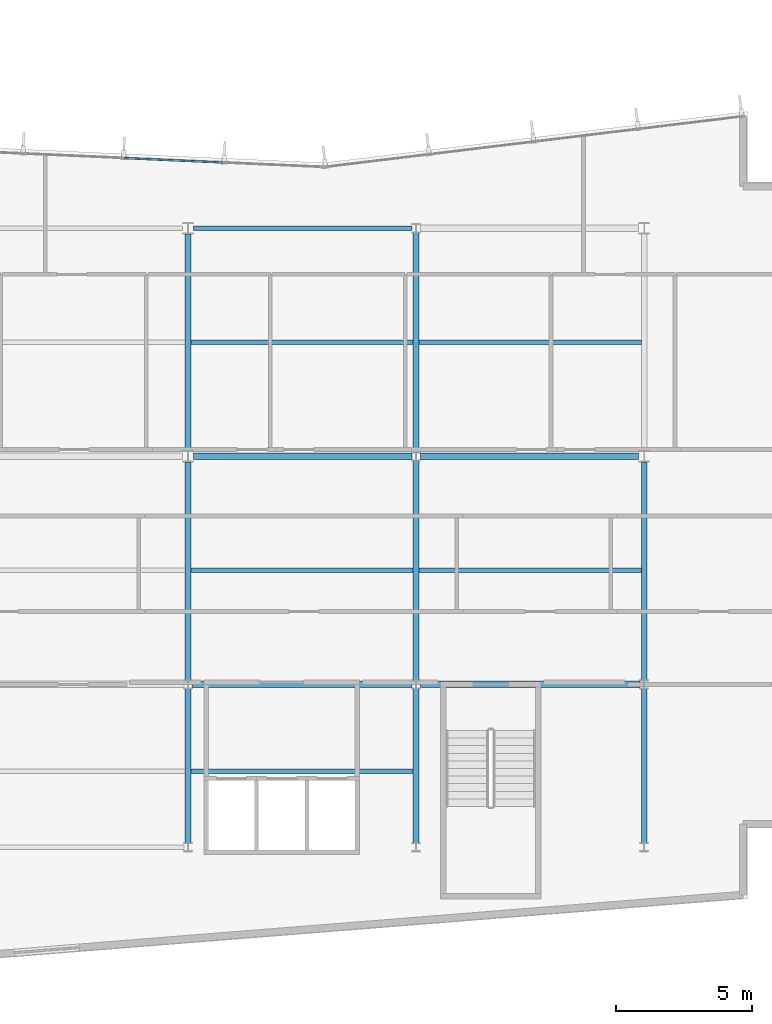
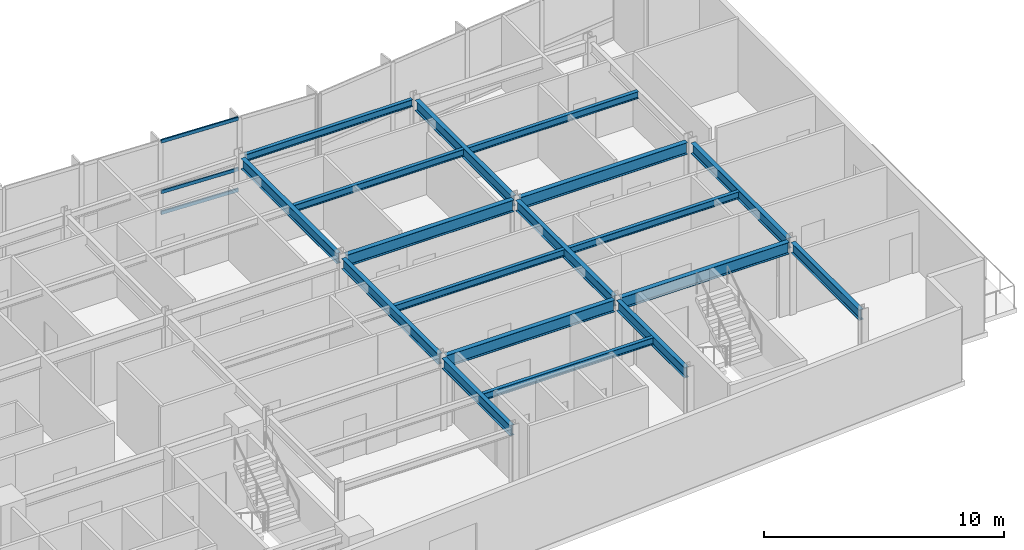
# One storey, part 5 of 17: 18 beams, 3 members, 1 element without a shape of its own.
"""IFC4 building model written with IfcOpenShell, lengths in metres."""

import ifcopenshell
import ifcopenshell.guid

model = None  # the IFC model being written
_history = None  # IfcOwnerHistory: only IFC2X3 demands one
_inside = {}  # id of a spatial element -> (the spatial element, [elements in it])
_under = {}  # id of a project, library or spatial element -> (it, [spatial elements below it])
_declared = {}  # id of a project -> (the project, [libraries it declares])
_typed = {}  # id of a type object -> (the type object, [elements of that type])
_made_of = {}  # id of a material, layer set ... -> (it, [elements and type objects made of it])


def new_model(schema):
    """Start an empty IFC model of exactly this schema.

    Asked for "IFC4X3", IfcOpenShell would pick the latest addendum, in which some entities
    have other attributes; the version numbers below select the first issue.
    IFC2X3 requires an IfcOwnerHistory on every rooted entity: one is made here for all.
    """
    global model, _history
    if schema == "IFC4X3":
        model = ifcopenshell.file(schema_version=(4, 3, 0, 0))
    else:
        model = ifcopenshell.file(schema=schema)
    _inside.clear()
    _under.clear()
    _declared.clear()
    _typed.clear()
    _made_of.clear()
    _history = None
    if model.schema == "IFC2X3":
        org = make("IfcOrganization", Name="unknown")
        user = make(
            "IfcPersonAndOrganization",
            ThePerson=make("IfcPerson", FamilyName="unknown"),
            TheOrganization=org,
        )
        app = make(
            "IfcApplication",
            ApplicationDeveloper=org,
            Version="unknown",
            ApplicationFullName="unknown",
            ApplicationIdentifier="unknown",
        )
        _history = make(
            "IfcOwnerHistory",
            OwningUser=user,
            OwningApplication=app,
            ChangeAction="ADDED",
            CreationDate=0,
        )
    return model


def make(cls, **values):
    """One entity of the class cls with the attributes given. An attribute that is None is left unset."""
    return model.create_entity(
        cls, **{name: value for name, value in values.items() if value is not None}
    )


def rooted(cls, **values):
    """An entity with a GlobalId (a new one), such as an element, a storey or a relation."""
    return make(cls, GlobalId=ifcopenshell.guid.new(), OwnerHistory=_history, **values)


def si_unit(unit_type, name, prefix=None):
    """IfcSIUnit, for example si_unit("LENGTHUNIT", "METRE", prefix="MILLI")."""
    return make("IfcSIUnit", UnitType=unit_type, Prefix=prefix, Name=name)


def assignment(units):
    """IfcUnitAssignment: the units of a project."""
    return None if units is None else make("IfcUnitAssignment", Units=units)


def point(xyz):
    """IfcCartesianPoint."""
    return None if xyz is None else make("IfcCartesianPoint", Coordinates=xyz)


def direction(xyz):
    """IfcDirection."""
    return None if xyz is None else make("IfcDirection", DirectionRatios=xyz)


def frame(location, z_axis=None, x_axis=None):
    """IfcAxis2Placement3D, a coordinate frame: its origin and axes. An axis left out is left unset."""
    return make(
        "IfcAxis2Placement3D",
        Location=point(location),
        Axis=direction(z_axis),
        RefDirection=direction(x_axis),
    )


def frame_2d(location, x_axis=None):
    """IfcAxis2Placement2D, a coordinate frame in the plane: its origin and x axis."""
    return make(
        "IfcAxis2Placement2D", Location=point(location), RefDirection=direction(x_axis)
    )


def origin():
    """The frame at (0, 0, 0) with its axes left unset."""
    return frame((0.0, 0.0, 0.0))


def origin_2d():
    """The frame at (0, 0) in the plane with its x axis left unset."""
    return frame_2d((0.0, 0.0))


def place(relative_to, where):
    """IfcLocalPlacement: puts the frame where relative to a parent placement (None: the world)."""
    return make(
        "IfcLocalPlacement", PlacementRelTo=relative_to, RelativePlacement=where
    )


def context(
    kind, dimensions, precision=None, world=None, true_north=None, identifier=None
):
    """IfcGeometricRepresentationContext, for example the 3D "Model" context."""
    return make(
        "IfcGeometricRepresentationContext",
        ContextIdentifier=identifier,
        ContextType=kind,
        CoordinateSpaceDimension=dimensions,
        Precision=precision,
        WorldCoordinateSystem=world,
        TrueNorth=true_north,
    )


def subcontext(parent, identifier, kind, view, scale=None):
    """IfcGeometricRepresentationSubContext, for example "Body" below "Model"."""
    return make(
        "IfcGeometricRepresentationSubContext",
        ContextIdentifier=identifier,
        ContextType=kind,
        ParentContext=parent,
        TargetScale=scale,
        TargetView=view,
    )


def project(units=None, contexts=None):
    """IfcProject with its units and contexts."""
    return rooted(
        "IfcProject",
        Name="project",
        RepresentationContexts=contexts,
        UnitsInContext=assignment(units),
    )


def spatial(cls, under=None, at=None, **own):
    """A site, building, storey or space (cls), placed at a placement, below another one or the project."""
    s = rooted(cls, ObjectPlacement=at, **own)
    if under is not None:
        _under.setdefault(under.id(), (under, []))[1].append(s)
    return s


def profile(cls, at=None, kind="AREA", **sizes):
    """A parametric profile (cls). Its sizes go by their IFC names, for example OverallWidth=200.0."""
    return make(cls, ProfileType=kind, Position=at, **sizes)


def hollow_rectangle(**sizes):
    """IfcRectangleHollowProfileDef."""
    return profile("IfcRectangleHollowProfileDef", **sizes)


def i_section(**sizes):
    """IfcIShapeProfileDef."""
    return profile("IfcIShapeProfileDef", **sizes)


def extrude(swept, where, along, depth):
    """IfcExtrudedAreaSolid: the profile swept, set in the frame where, extruded along a direction by depth."""
    return make(
        "IfcExtrudedAreaSolid",
        SweptArea=swept,
        Position=where,
        ExtrudedDirection=direction(along),
        Depth=depth,
    )


def shape(context_of_items, identifier, shape_type, items):
    """IfcShapeRepresentation: the items that make up one representation, for example the "Body"."""
    return make(
        "IfcShapeRepresentation",
        ContextOfItems=context_of_items,
        RepresentationIdentifier=identifier,
        RepresentationType=shape_type,
        Items=items,
    )


def material(Name=None, Category=None):
    """IfcMaterial."""
    return make("IfcMaterial", Name=Name, Category=Category)


def layer(
    of_material, thickness, ventilated=None, Name=None, Category=None, Priority=None
):
    """IfcMaterialLayer: one layer of a wall or slab, of a material (None: an air gap)."""
    return make(
        "IfcMaterialLayer",
        Material=of_material,
        LayerThickness=thickness,
        IsVentilated=ventilated,
        Name=Name,
        Category=Category,
        Priority=Priority,
    )


def layer_set(layers, Name=None):
    """IfcMaterialLayerSet."""
    return make("IfcMaterialLayerSet", MaterialLayers=layers, LayerSetName=Name)


def material_profile(
    of_material, cross_section, Name=None, Category=None, Priority=None
):
    """IfcMaterialProfile: a cross section and its material."""
    return make(
        "IfcMaterialProfile",
        Name=Name,
        Material=of_material,
        Profile=cross_section,
        Priority=Priority,
        Category=Category,
    )


def profile_set(profiles, Name=None, composite=None):
    """IfcMaterialProfileSet."""
    return make(
        "IfcMaterialProfileSet",
        Name=Name,
        MaterialProfiles=profiles,
        CompositeProfile=composite,
    )


def made_of(thing, what):
    """Note that an element or type object is made of a material, layer set ...; save() writes the relation."""
    if what is not None:
        _made_of.setdefault(what.id(), (what, []))[1].append(thing)
    return thing


def type_object(cls, material=None, **own):
    """A type object (cls), such as IfcWallType, which elements share."""
    return made_of(rooted(cls, **own), material)


def element(
    cls,
    number,
    at=None,
    inside=None,
    cuts=None,
    type_object=None,
    material=None,
    context=None,
    identifier="Body",
    shape_type=None,
    held_by="IfcProductDefinitionShape",
    body=None,
    shapes=None,
    **own,
):
    """One element of the class cls, such as IfcWall. Its Tag is "e" and its number.

    at: its placement. inside: the storey or other place that contains it. cuts: it is an
    opening in that element (IfcRelVoidsElement). A single representation is given by context,
    identifier, shape_type and body (its items); several are given by shapes. held_by: the class
    of the entity that holds the representations. save() writes the other relations.
    """
    e = rooted(cls, Tag="e%d" % number, ObjectPlacement=at, **own)
    if body is not None:
        shapes = [shape(context, identifier, shape_type, body)]
    if shapes is not None:
        e.Representation = make(held_by, Representations=shapes)
    if inside is not None:
        _inside.setdefault(inside.id(), (inside, []))[1].append(e)
    if cuts is not None:
        rooted(
            "IfcRelVoidsElement", RelatingBuildingElement=cuts, RelatedOpeningElement=e
        )
    if type_object is not None:
        _typed.setdefault(type_object.id(), (type_object, []))[1].append(e)
    return made_of(e, material)


def aggregate(whole, parts):
    """IfcRelAggregates: a whole, such as a stair, and the parts it consists of."""
    return rooted("IfcRelAggregates", RelatingObject=whole, RelatedObjects=parts)


def save(model, path):
    """Write the relations noted so far, then the file.

    IfcRelAggregates (storeys below a building ...), IfcRelContainedInSpatialStructure (elements
    in a storey), IfcRelDefinesByType, IfcRelAssociatesMaterial and IfcRelDeclares: one each for
    every whole, place, type object, material and project.
    """
    for whole, parts in _under.values():
        aggregate(whole, parts)
    for where, things in _inside.values():
        rooted(
            "IfcRelContainedInSpatialStructure",
            RelatedElements=things,
            RelatingStructure=where,
        )
    for kind, things in _typed.values():
        rooted("IfcRelDefinesByType", RelatedObjects=things, RelatingType=kind)
    for what, things in _made_of.values():
        rooted("IfcRelAssociatesMaterial", RelatedObjects=things, RelatingMaterial=what)
    for by, libraries in _declared.values():
        rooted("IfcRelDeclares", RelatingContext=by, RelatedDefinitions=libraries)
    model.write(path)


model = new_model("IFC4")

# Units and contexts
model_context = context("Model", 3, precision=1e-05, world=origin(), true_north=direction((0.0, 1.0)))
body_context = subcontext(model_context, "Body", "Model", "MODEL_VIEW")
ifc_project = project(units=[si_unit("LENGTHUNIT", "METRE"), si_unit("AREAUNIT", "SQUARE_METRE"), si_unit("VOLUMEUNIT", "CUBIC_METRE"), si_unit("PLANEANGLEUNIT", "RADIAN"), si_unit("MASSUNIT", "GRAM", prefix="KILO")], contexts=[model_context])

# Site, building, storey
site_placement = place(None, origin())
site = spatial("IfcSite", under=ifc_project, at=site_placement, CompositionType="ELEMENT")
building_placement = place(site_placement, origin())
building = spatial("IfcBuilding", under=site, at=building_placement, Name="Varnakote Quay Hospital", CompositionType="ELEMENT")
storey_placement = place(building_placement, frame((0.0, 0.0, 111.25)))
storey = spatial("IfcBuildingStorey", under=building, at=storey_placement, Name="L27", CompositionType="ELEMENT", Elevation=111.25)

# Beams
ifc_material_1 = material(Name="Structural steel AS/NZS 3679.1 Grade 350 L0 (fy 340 MPa)", Category="steel")
ifc_material_profile_1 = material_profile(ifc_material_1, i_section(OverallWidth=0.208984375, OverallDepth=0.532958984375, WebThickness=0.01025390625, FlangeThickness=0.015625, FilletRadius=0.013916015625, at=origin_2d()), Name="530UB92.4")
ifc_profile_set_1 = profile_set([ifc_material_profile_1], Name="Structural steel AS/NZS 3679.1 Grade 350 L0 (fy 340 MPa)")
beam_type_1 = type_object("IfcBeamType", Name="BM-STL-530UB92-4", PredefinedType="BEAM", material=ifc_profile_set_1)
beam_1_placement = place(storey_placement, frame((33.60009765625, 6.160400390625, 3.443603515625), z_axis=(0.0, 1.0, 0.0), x_axis=(-1.0, 0.0, 0.0)))
element("IfcBeam", 1, at=beam_1_placement, inside=storey, type_object=beam_type_1, Name="L27 Primary Tie Beam", PredefinedType="BEAM", context=body_context, shape_type="SweptSolid", body=[
    extrude(i_section(OverallWidth=0.208984375, OverallDepth=0.532958984375, WebThickness=0.01025390625, FlangeThickness=0.015625, FilletRadius=0.013916015625, at=origin_2d()), origin(), (0.0, 0.0, 1.0), 5.67919921875),
])
beam_2_placement = place(storey_placement, frame((33.60009765625, 12.160400390625, 3.443603515625), z_axis=(0.0, 1.0, 0.0), x_axis=(-1.0, 0.0, 0.0)))
element("IfcBeam", 2, at=beam_2_placement, inside=storey, type_object=beam_type_1, Name="L27 Primary Tie Beam", PredefinedType="BEAM", context=body_context, shape_type="SweptSolid", body=[
    extrude(i_section(OverallWidth=0.208984375, OverallDepth=0.532958984375, WebThickness=0.01025390625, FlangeThickness=0.015625, FilletRadius=0.013916015625, at=origin_2d()), origin(), (0.0, 0.0, 1.0), 8.029541015625),
])
beam_3_placement = place(storey_placement, frame((33.60009765625, 20.610107421875, 3.443603515625), z_axis=(0.0, 1.0, 0.0), x_axis=(-1.0, 0.0, 0.0)))
element("IfcBeam", 3, at=beam_3_placement, inside=storey, type_object=beam_type_1, Name="L27 Primary Tie Beam", PredefinedType="BEAM", context=body_context, shape_type="SweptSolid", body=[
    extrude(i_section(OverallWidth=0.208984375, OverallDepth=0.532958984375, WebThickness=0.01025390625, FlangeThickness=0.015625, FilletRadius=0.013916015625, at=origin_2d()), origin(), (0.0, 0.0, 1.0), 7.97998046875),
])
beam_4_placement = place(storey_placement, frame((42.0, 6.160400390625, 3.443603515625), z_axis=(0.0, 1.0, 0.0), x_axis=(-1.0, 0.0, 0.0)))
element("IfcBeam", 4, at=beam_4_placement, inside=storey, type_object=beam_type_1, Name="L27 Primary Tie Beam", PredefinedType="BEAM", context=body_context, shape_type="SweptSolid", body=[
    extrude(i_section(OverallWidth=0.208984375, OverallDepth=0.532958984375, WebThickness=0.01025390625, FlangeThickness=0.015625, FilletRadius=0.013916015625, at=origin_2d()), origin(), (0.0, 0.0, 1.0), 5.67919921875),
])
beam_5_placement = place(storey_placement, frame((42.0, 12.160400390625, 3.443603515625), z_axis=(0.0, 1.0, 0.0), x_axis=(-1.0, 0.0, 0.0)))
element("IfcBeam", 5, at=beam_5_placement, inside=storey, type_object=beam_type_1, Name="L27 Primary Tie Beam", PredefinedType="BEAM", context=body_context, shape_type="SweptSolid", body=[
    extrude(i_section(OverallWidth=0.208984375, OverallDepth=0.532958984375, WebThickness=0.01025390625, FlangeThickness=0.015625, FilletRadius=0.013916015625, at=origin_2d()), origin(), (0.0, 0.0, 1.0), 8.0791015625),
])
beam_6_placement = place(storey_placement, frame((42.0, 20.560546875, 3.443603515625), z_axis=(0.0, 1.0, 0.0), x_axis=(-1.0, 0.0, 0.0)))
element("IfcBeam", 6, at=beam_6_placement, inside=storey, type_object=beam_type_1, Name="L27 Primary Tie Beam", PredefinedType="BEAM", context=body_context, shape_type="SweptSolid", body=[
    extrude(i_section(OverallWidth=0.208984375, OverallDepth=0.532958984375, WebThickness=0.01025390625, FlangeThickness=0.015625, FilletRadius=0.013916015625, at=origin_2d()), origin(), (0.0, 0.0, 1.0), 8.078857421875),
])
beam_7_placement = place(storey_placement, frame((50.39990234375, 6.160400390625, 3.443603515625), z_axis=(0.0, 1.0, 0.0), x_axis=(-1.0, 0.0, 0.0)))
element("IfcBeam", 7, at=beam_7_placement, inside=storey, type_object=beam_type_1, Name="L27 Primary Tie Beam", PredefinedType="BEAM", context=body_context, shape_type="SweptSolid", body=[
    extrude(i_section(OverallWidth=0.208984375, OverallDepth=0.532958984375, WebThickness=0.01025390625, FlangeThickness=0.015625, FilletRadius=0.013916015625, at=origin_2d()), origin(), (0.0, 0.0, 1.0), 5.67919921875),
])
beam_8_placement = place(storey_placement, frame((50.39990234375, 12.160400390625, 3.443603515625), z_axis=(0.0, 1.0, 0.0), x_axis=(-1.0, 0.0, 0.0)))
element("IfcBeam", 8, at=beam_8_placement, inside=storey, type_object=beam_type_1, Name="L27 Primary Tie Beam", PredefinedType="BEAM", context=body_context, shape_type="SweptSolid", body=[
    extrude(i_section(OverallWidth=0.208984375, OverallDepth=0.532958984375, WebThickness=0.01025390625, FlangeThickness=0.015625, FilletRadius=0.013916015625, at=origin_2d()), origin(), (0.0, 0.0, 1.0), 8.029541015625),
])
ifc_material_2 = material(Name="Structural steel AS/NZS 3679.1 Grade 350 L0 (fy 340 MPa)", Category="steel")
ifc_material_profile_2 = material_profile(ifc_material_2, i_section(OverallWidth=0.22802734375, OverallDepth=0.60205078125, WebThickness=0.010498046875, FlangeThickness=0.014892578125, FilletRadius=0.013916015625, at=origin_2d()), Name="610UB101")
ifc_profile_set_2 = profile_set([ifc_material_profile_2], Name="Structural steel AS/NZS 3679.1 Grade 350 L0 (fy 340 MPa)")
beam_type_2 = type_object("IfcBeamType", Name="BM-STL-610UB101", PredefinedType="BEAM", material=ifc_profile_set_2)
for number, where, z_axis, x_axis, name in (
    (9, (33.75439453125, 12.0, 3.408935546875), (1.0, 0.0, 0.0), (0.0, 1.0, 0.0), "L27 Primary Floor Beam"),
    (10, (42.154541015625, 12.0, 3.408935546875), (1.0, 0.0, 0.0), (0.0, 1.0, 0.0), "L27 Primary Floor Beam"),
):
    element("IfcBeam", number, at=place(storey_placement, frame(where, z_axis=z_axis, x_axis=x_axis)), inside=storey, type_object=beam_type_2, Name=name, PredefinedType="BEAM", context=body_context, shape_type="SweptSolid", body=[
        extrude(i_section(OverallWidth=0.22802734375, OverallDepth=0.60205078125, WebThickness=0.010498046875, FlangeThickness=0.014892578125, FilletRadius=0.013916015625, at=origin_2d()), origin(), (0.0, 0.0, 1.0), 8.091064453125),
    ])
for number, where, z_axis, x_axis, name in (
    (11, (33.800048828125, 20.39990234375, 3.408935546875), (1.0, 0.0, 0.0), (0.0, 1.0, 0.0), "L27 Primary Floor Beam"),
    (12, (42.154541015625, 20.39990234375, 3.408935546875), (1.0, 0.0, 0.0), (0.0, 1.0, 0.0), "L27 Primary Floor Beam"),
):
    element("IfcBeam", number, at=place(storey_placement, frame(where, z_axis=z_axis, x_axis=x_axis)), inside=storey, type_object=beam_type_2, Name=name, PredefinedType="BEAM", context=body_context, shape_type="SweptSolid", body=[
        extrude(i_section(OverallWidth=0.22802734375, OverallDepth=0.60205078125, WebThickness=0.010498046875, FlangeThickness=0.014892578125, FilletRadius=0.013916015625, at=origin_2d()), origin(), (0.0, 0.0, 1.0), 8.04541015625),
    ])

# Curtain wall, members
ifc_material_3 = material(Name="Anodised aluminium 6063-T6 Bronze", Category="aluminium")
ifc_layer = layer(ifc_material_3, 0.205078125)
ifc_layer_set = layer_set([ifc_layer], Name="Anodised aluminium 6063-T6 Bronze")
curtain_wall_type = type_object("IfcCurtainWallType", Name="CW-SYS-3", PredefinedType="NOTDEFINED", material=ifc_layer_set)
curtain_wall_placement = place(storey_placement, origin())
curtain_wall = element("IfcCurtainWall", 13, at=curtain_wall_placement, inside=storey, type_object=curtain_wall_type, Name="L27 Unitised Bronze Curtain Wall 2", PredefinedType="NOTDEFINED")
ifc_material_4 = material(Name="Anodised aluminium 6063-T6 Bronze", Category="aluminium")
ifc_material_profile_3 = material_profile(ifc_material_4, hollow_rectangle(XDim=0.074951171875, YDim=0.179931640625, WallThickness=0.004150390625, InnerFilletRadius=0.004150390625, OuterFilletRadius=0.00830078125, at=origin_2d()), Name="CW-TRAN-180x75")
ifc_profile_set_3 = profile_set([ifc_material_profile_3], Name="Anodised aluminium 6063-T6 Bronze")
member_type = type_object("IfcMemberType", Name="CW-TRAN-180x75", PredefinedType="USERDEFINED", material=ifc_profile_set_3)
member_1_placement = place(storey_placement, frame((34.8896484375, 31.21923828125, 0.03759765625), z_axis=(-0.99899730508, 0.044770352277, 0.0), x_axis=(-0.044770352277, -0.99899730508, 0.0)))
member_1 = element("IfcMember", 14, at=member_1_placement, type_object=member_type, Name="-3-L27-2 transom 2.1", ObjectType="TRANSOM", PredefinedType="USERDEFINED", context=body_context, shape_type="SweptSolid", body=[
    extrude(hollow_rectangle(XDim=0.074951171875, YDim=0.179931640625, WallThickness=0.004150390625, InnerFilletRadius=0.004150390625, OuterFilletRadius=0.00830078125, at=origin_2d()), origin(), (0.0, 0.0, 1.0), 3.6318359375),
])
member_2_placement = place(storey_placement, frame((34.8896484375, 31.21923828125, 1.10009765625), z_axis=(-0.99899730508, 0.044770352277, 0.0), x_axis=(-0.044770352277, -0.99899730508, 0.0)))
member_2 = element("IfcMember", 15, at=member_2_placement, type_object=member_type, Name="-3-L27-2 transom 2.2", ObjectType="TRANSOM", PredefinedType="USERDEFINED", context=body_context, shape_type="SweptSolid", body=[
    extrude(hollow_rectangle(XDim=0.074951171875, YDim=0.179931640625, WallThickness=0.004150390625, InnerFilletRadius=0.004150390625, OuterFilletRadius=0.00830078125, at=origin_2d()), origin(), (0.0, 0.0, 1.0), 3.6318359375),
])
member_3_placement = place(storey_placement, frame((34.8896484375, 31.21923828125, 3.672607421875), z_axis=(-0.99899730508, 0.044770352277, 0.0), x_axis=(-0.044770352277, -0.99899730508, 0.0)))
member_3 = element("IfcMember", 16, at=member_3_placement, type_object=member_type, Name="-3-L27-2 transom 2.3", ObjectType="TRANSOM", PredefinedType="USERDEFINED", context=body_context, shape_type="SweptSolid", body=[
    extrude(hollow_rectangle(XDim=0.074951171875, YDim=0.179931640625, WallThickness=0.004150390625, InnerFilletRadius=0.004150390625, OuterFilletRadius=0.00830078125, at=origin_2d()), origin(), (0.0, 0.0, 1.0), 3.6318359375),
])
aggregate(curtain_wall, [member_1, member_2, member_3])

# Beams
ifc_material_5 = material(Name="Structural steel AS/NZS 3679.1 Grade 350 L0 (fy 340 MPa)", Category="steel")
ifc_material_profile_4 = material_profile(ifc_material_5, i_section(OverallWidth=0.1708984375, OverallDepth=0.35595703125, WebThickness=0.00732421875, FlangeThickness=0.011474609375, FilletRadius=0.011474609375, at=origin_2d()), Name="360UB50.7")
ifc_profile_set_4 = profile_set([ifc_material_profile_4], Name="Structural steel AS/NZS 3679.1 Grade 350 L0 (fy 340 MPa)")
beam_type_3 = type_object("IfcBeamType", Name="JST-STL-360UB50-7", PredefinedType="JOIST", material=ifc_profile_set_4)
for number, where, z_axis, x_axis, name in (
    (17, (33.70458984375, 8.800048828125, 3.531982421875), (1.0, 0.0, 0.0), (0.0, 1.0, 0.0), "L27 Composite Floor Joist"),
    (18, (33.70458984375, 16.199951171875, 3.531982421875), (1.0, 0.0, 0.0), (0.0, 1.0, 0.0), "L27 Composite Floor Joist"),
    (19, (42.1044921875, 16.199951171875, 3.531982421875), (1.0, 0.0, 0.0), (0.0, 1.0, 0.0), "L27 Composite Floor Joist"),
    (20, (33.70458984375, 24.60009765625, 3.531982421875), (1.0, 0.0, 0.0), (0.0, 1.0, 0.0), "L27 Composite Floor Joist"),
    (21, (42.1044921875, 24.60009765625, 3.531982421875), (1.0, 0.0, 0.0), (0.0, 1.0, 0.0), "L27 Composite Floor Joist"),
):
    element("IfcBeam", number, at=place(storey_placement, frame(where, z_axis=z_axis, x_axis=x_axis)), inside=storey, type_object=beam_type_3, Name=name, PredefinedType="JOIST", context=body_context, shape_type="SweptSolid", body=[
        extrude(i_section(OverallWidth=0.1708984375, OverallDepth=0.35595703125, WebThickness=0.00732421875, FlangeThickness=0.011474609375, FilletRadius=0.011474609375, at=origin_2d()), origin(), (0.0, 0.0, 1.0), 8.19091796875),
    ])
ifc_material_6 = material(Name="Structural steel AS/NZS 3679.1 Grade 350 L0 (fy 340 MPa)", Category="steel")
ifc_material_profile_5 = material_profile(ifc_material_6, i_section(OverallWidth=0.172119140625, OverallDepth=0.35888671875, WebThickness=0.008056640625, FlangeThickness=0.012939453125, FilletRadius=0.011474609375, at=origin_2d()), Name="360UB56.7")
ifc_profile_set_5 = profile_set([ifc_material_profile_5], Name="Structural steel AS/NZS 3679.1 Grade 350 L0 (fy 340 MPa)")
beam_type_4 = type_object("IfcBeamType", Name="SPN-STL-360UB56-7", PredefinedType="SPANDREL", material=ifc_profile_set_5)
beam_9_placement = place(storey_placement, frame((33.800048828125, 28.800048828125, 3.530517578125), z_axis=(1.0, 0.0, 0.0), x_axis=(0.0, 1.0, 0.0)))
element("IfcBeam", 22, at=beam_9_placement, inside=storey, type_object=beam_type_4, Name="L27 Perimeter Spandrel Beam", PredefinedType="SPANDREL", context=body_context, shape_type="SweptSolid", body=[
    extrude(i_section(OverallWidth=0.172119140625, OverallDepth=0.35888671875, WebThickness=0.008056640625, FlangeThickness=0.012939453125, FilletRadius=0.011474609375, at=origin_2d()), origin(), (0.0, 0.0, 1.0), 8.04541015625),
])

save(model, "model.ifc")
